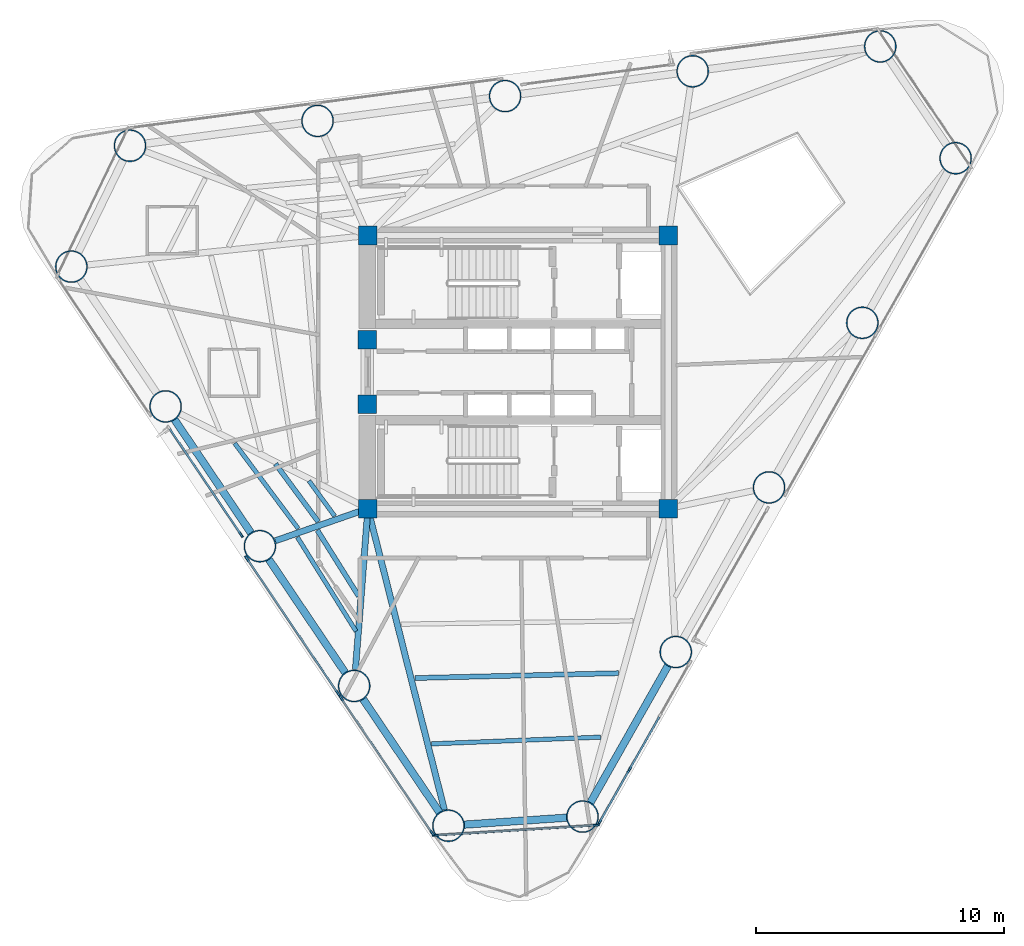
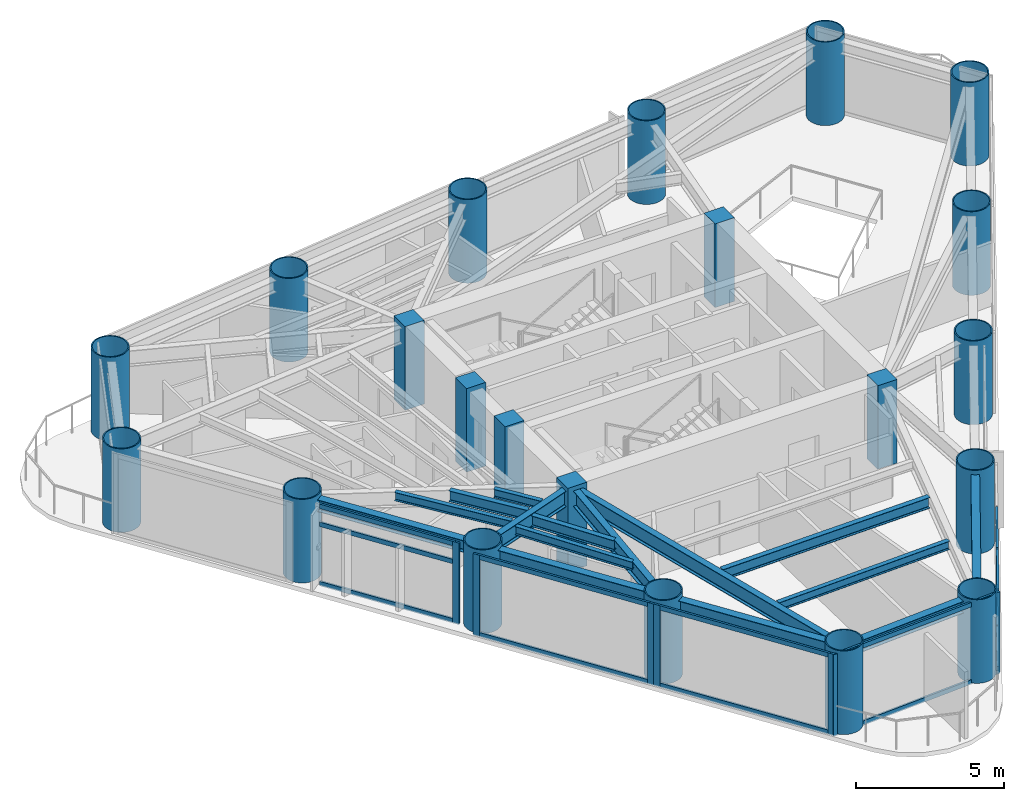
# One storey, part 1 of 9: 24 members, 21 columns, 15 beams, 5 elements without a shape of their own.
"""IFC4 building model written with IfcOpenShell, lengths in metres."""

from ifc_helpers import new_model, si_unit, direction, frame, origin, origin_2d, place, context, subcontext, project, spatial, rectangle, hollow_circle, i_section, extrude, source, transform, mapped, material, layer, layer_set, material_profile, profile_set, type_object, element, aggregate, save


model = new_model("IFC4")

# Units and contexts
model_context = context("Model", 3, precision=1e-05, world=origin(), true_north=direction((0.0, 1.0)))
body_context = subcontext(model_context, "Body", "Model", "MODEL_VIEW")
ifc_project = project(units=[si_unit("LENGTHUNIT", "METRE"), si_unit("AREAUNIT", "SQUARE_METRE"), si_unit("VOLUMEUNIT", "CUBIC_METRE"), si_unit("PLANEANGLEUNIT", "RADIAN"), si_unit("MASSUNIT", "GRAM", prefix="KILO")], contexts=[model_context])

# Site, building, storey
site_placement = place(None, origin())
site = spatial("IfcSite", under=ifc_project, at=site_placement, CompositionType="ELEMENT")
building_placement = place(site_placement, origin())
building = spatial("IfcBuilding", under=site, at=building_placement, Name="Yunling Apex Tower", CompositionType="ELEMENT")
storey_placement = place(building_placement, frame((0.0, 0.0, 162.199951171875)))
storey = spatial("IfcBuildingStorey", under=building, at=storey_placement, Name="L39", CompositionType="ELEMENT", Elevation=162.199951171875)

# Columns
ifc_material_1 = material(Name="Concrete C50", Category="concrete")
ifc_material_profile_1 = material_profile(ifc_material_1, rectangle(XDim=0.75, YDim=0.75, at=origin_2d()))
ifc_profile_set_1 = profile_set([ifc_material_profile_1], Name="Concrete C50")
column_type_1 = type_object("IfcColumnType", Name="PC-SRC-4", PredefinedType="COLUMN", material=ifc_profile_set_1)
shared_shape_1 = source(origin(), body_context, "Body", "SweptSolid", [
    extrude(rectangle(XDim=0.75, YDim=0.75, at=origin_2d()), origin(), (0.0, 0.0, 1.0), 3.449951171875),
])
for number, where, z_axis, x_axis, name in (
    (1, (-6.050048828125, -5.5, 0.0), (0.0, 0.0, 1.0), (1.0, 0.0, 0.0), "L39 Core Spine Column CC-SW"),
    (2, (6.050048828125, -5.5, 0.0), (0.0, 0.0, 1.0), (1.0, 0.0, 0.0), "L39 Core Spine Column CC-SE"),
    (3, (6.050048828125, 5.5, 0.0), (0.0, 0.0, 1.0), (1.0, 0.0, 0.0), "L39 Core Spine Column CC-NE"),
    (4, (-6.050048828125, 5.5, 0.0), (0.0, 0.0, 1.0), (1.0, 0.0, 0.0), "L39 Core Spine Column CC-NW"),
    (5, (-6.074951171875, -1.300048828125, 0.0), (0.0, 0.0, 1.0), (1.0, 0.0, 0.0), "L39 Core West Portal Jamb Column S"),
    (6, (-6.074951171875, 1.300048828125, 0.0), (0.0, 0.0, 1.0), (1.0, 0.0, 0.0), "L39 Core West Portal Jamb Column N"),
):
    element("IfcColumn", number, at=place(storey_placement, frame(where, z_axis=z_axis, x_axis=x_axis)), inside=storey, type_object=column_type_1, Name=name, PredefinedType="COLUMN", context=body_context, shape_type="MappedRepresentation", body=[
        mapped(shared_shape_1, transform((0.0, 0.0, 0.0), scale=1.0)),
    ])
ifc_material_2 = material(Name="Steel Q390GJC", Category="steel")
ifc_material_profile_2 = material_profile(ifc_material_2, hollow_circle(Radius=0.64990234375, WallThickness=0.044921875, at=origin_2d()))
ifc_profile_set_2 = profile_set([ifc_material_profile_2], Name="Steel Q390GJC")
column_type_2 = type_object("IfcColumnType", Name="MC-CFST-3", PredefinedType="COLUMN", material=ifc_profile_set_2)
shared_shape_2 = source(origin(), body_context, "Body", "SweptSolid", [
    extrude(hollow_circle(Radius=0.64990234375, WallThickness=0.044921875, at=origin_2d()), origin(), (0.0, 0.0, 1.0), 3.449951171875),
])
for number, where, z_axis, x_axis, name in (
    (7, (2.5947265625, -17.907958984375, 0.0), (0.0, 0.0, 1.0), (1.0, 0.0, 0.0), "L39 Perimeter CFST Mega-Column P01"),
    (8, (6.351806640625, -11.27783203125, 0.0), (0.0, 0.0, 1.0), (1.0, 0.0, 0.0), "L39 Perimeter CFST Mega-Column P02"),
    (9, (10.109130859375, -4.64794921875, 0.0), (0.0, 0.0, 1.0), (1.0, 0.0, 0.0), "L39 Perimeter CFST Mega-Column P03"),
    (10, (13.8662109375, 1.982177734375, 0.0), (0.0, 0.0, 1.0), (1.0, 0.0, 0.0), "L39 Perimeter CFST Mega-Column P04"),
    (11, (17.62353515625, 8.612060546875, 0.0), (0.0, 0.0, 1.0), (1.0, 0.0, 0.0), "L39 Perimeter CFST Mega-Column P05"),
    (12, (14.5869140625, 13.114013671875, 0.0), (0.0, 0.0, 1.0), (1.0, 0.0, 0.0), "L39 Perimeter CFST Mega-Column P06"),
    (13, (7.0322265625, 12.114013671875, 0.0), (0.0, 0.0, 1.0), (1.0, 0.0, 0.0), "L39 Perimeter CFST Mega-Column P07"),
    (14, (-0.5224609375, 11.114013671875, 0.0), (0.0, 0.0, 1.0), (1.0, 0.0, 0.0), "L39 Perimeter CFST Mega-Column P08"),
    (15, (-8.0771484375, 10.1142578125, 0.0), (0.0, 0.0, 1.0), (1.0, 0.0, 0.0), "L39 Perimeter CFST Mega-Column P09"),
    (16, (-15.6318359375, 9.1142578125, 0.0), (0.0, 0.0, 1.0), (1.0, 0.0, 0.0), "L39 Perimeter CFST Mega-Column P10"),
    (17, (-17.9951171875, 4.2451171875, 0.0), (0.0, 0.0, 1.0), (1.0, 0.0, 0.0), "L39 Perimeter CFST Mega-Column P11"),
    (18, (-14.197509765625, -1.384765625, 0.0), (0.0, 0.0, 1.0), (1.0, 0.0, 0.0), "L39 Perimeter CFST Mega-Column P12"),
    (19, (-10.39990234375, -7.014892578125, 0.0), (0.0, 0.0, 1.0), (1.0, 0.0, 0.0), "L39 Perimeter CFST Mega-Column P13"),
    (20, (-6.6025390625, -12.64501953125, 0.0), (0.0, 0.0, 1.0), (1.0, 0.0, 0.0), "L39 Perimeter CFST Mega-Column P14"),
    (21, (-2.804931640625, -18.27490234375, 0.0), (0.0, 0.0, 1.0), (1.0, 0.0, 0.0), "L39 Perimeter CFST Mega-Column P15"),
):
    element("IfcColumn", number, at=place(storey_placement, frame(where, z_axis=z_axis, x_axis=x_axis)), inside=storey, type_object=column_type_2, Name=name, PredefinedType="COLUMN", context=body_context, shape_type="MappedRepresentation", body=[
        mapped(shared_shape_2, transform((0.0, 0.0, 0.0), scale=1.0)),
    ])

# Beams
ifc_material_3 = material(Name="Steel Q355B", Category="steel")
ifc_material_profile_3 = material_profile(ifc_material_3, i_section(OverallWidth=0.300048828125, OverallDepth=0.489990234375, WebThickness=0.010986328125, FlangeThickness=0.01806640625, FilletRadius=0.02197265625, at=origin_2d()))
ifc_profile_set_3 = profile_set([ifc_material_profile_3], Name="Steel Q355B")
beam_type_1 = type_object("IfcBeamType", Name="BP-SPN-2", PredefinedType="SPANDREL", material=ifc_profile_set_3)
shared_shape_3 = source(origin(), body_context, "Body", "SweptSolid", [
    extrude(i_section(OverallWidth=0.300048828125, OverallDepth=0.489990234375, WebThickness=0.010986328125, FlangeThickness=0.01806640625, FilletRadius=0.02197265625, at=origin_2d()), origin(), (0.0, 0.0, 1.0), 6.332763671875),
])
beam_1_placement = place(storey_placement, frame((2.912109375, -17.34765625, 3.025146484375), z_axis=(0.493042725972, 0.870005097897, 0.0), x_axis=(-0.870005097897, 0.493042725972, 0.0)))
element("IfcBeam", 22, at=beam_1_placement, inside=storey, type_object=beam_type_1, Name="L39 Perimeter Spandrel Beam 1", PredefinedType="SPANDREL", context=body_context, shape_type="MappedRepresentation", body=[
    mapped(shared_shape_3, transform((0.0, 0.0, 0.0), scale=1.0)),
])
shared_shape_4 = source(origin(), body_context, "Body", "SweptSolid", [
    extrude(i_section(OverallWidth=0.300048828125, OverallDepth=0.489990234375, WebThickness=0.010986328125, FlangeThickness=0.01806640625, FilletRadius=0.02197265625, at=origin_2d()), origin(), (0.0, 0.0, 1.0), 5.5029296875),
])
beam_2_placement = place(storey_placement, frame((-10.039794921875, -7.548828125, 3.025146484375), z_axis=(0.559176417619, -0.829048692164, 0.0), x_axis=(0.829048692164, 0.559176417619, 0.0)))
element("IfcBeam", 23, at=beam_2_placement, inside=storey, type_object=beam_type_1, Name="L39 Perimeter Spandrel Beam 13", PredefinedType="SPANDREL", context=body_context, shape_type="MappedRepresentation", body=[
    mapped(shared_shape_4, transform((0.0, 0.0, 0.0), scale=1.0)),
])
shared_shape_5 = source(origin(), body_context, "Body", "SweptSolid", [
    extrude(i_section(OverallWidth=0.300048828125, OverallDepth=0.489990234375, WebThickness=0.010986328125, FlangeThickness=0.01806640625, FilletRadius=0.02197265625, at=origin_2d()), origin(), (0.0, 0.0, 1.0), 5.503173828125),
])
beam_3_placement = place(storey_placement, frame((-13.83740234375, -1.918701171875, 3.025146484375), z_axis=(0.55920690951, -0.82902812519, 0.0), x_axis=(0.82902812519, 0.55920690951, 0.0)))
element("IfcBeam", 24, at=beam_3_placement, inside=storey, type_object=beam_type_1, Name="L39 Perimeter Spandrel Beam 12", PredefinedType="SPANDREL", context=body_context, shape_type="MappedRepresentation", body=[
    mapped(shared_shape_5, transform((0.0, 0.0, 0.0), scale=1.0)),
])
shared_shape_6 = source(origin(), body_context, "Body", "SweptSolid", [
    extrude(i_section(OverallWidth=0.300048828125, OverallDepth=0.489990234375, WebThickness=0.010986328125, FlangeThickness=0.01806640625, FilletRadius=0.02197265625, at=origin_2d()), origin(), (0.0, 0.0, 1.0), 5.50341796875),
])
beam_4_placement = place(storey_placement, frame((-6.242431640625, -13.1787109375, 3.025146484375), z_axis=(0.55918634307, -0.829041997564, 0.0), x_axis=(0.829041997564, 0.55918634307, 0.0)))
element("IfcBeam", 25, at=beam_4_placement, inside=storey, type_object=beam_type_1, Name="L39 Perimeter Spandrel Beam 14", PredefinedType="SPANDREL", context=body_context, shape_type="MappedRepresentation", body=[
    mapped(shared_shape_6, transform((0.0, 0.0, 0.0), scale=1.0)),
])
shared_shape_7 = source(origin(), body_context, "Body", "SweptSolid", [
    extrude(i_section(OverallWidth=0.300048828125, OverallDepth=0.489990234375, WebThickness=0.010986328125, FlangeThickness=0.01806640625, FilletRadius=0.02197265625, at=origin_2d()), origin(), (0.0, 0.0, 1.0), 4.124267578125),
])
beam_5_placement = place(storey_placement, frame((-2.16259765625, -18.231201171875, 3.025146484375), z_axis=(0.997700280582, 0.067780160274, 0.0), x_axis=(-0.067780160274, 0.997700280582, 0.0)))
element("IfcBeam", 26, at=beam_5_placement, inside=storey, type_object=beam_type_1, Name="L39 Perimeter Spandrel Beam 15", PredefinedType="SPANDREL", context=body_context, shape_type="MappedRepresentation", body=[
    mapped(shared_shape_7, transform((0.0, 0.0, 0.0), scale=1.0)),
])
ifc_material_profile_4 = material_profile(ifc_material_3, i_section(OverallWidth=0.25, OverallDepth=0.64990234375, WebThickness=0.011962890625, FlangeThickness=0.02001953125, FilletRadius=0.02392578125, at=origin_2d()))
ifc_profile_set_4 = profile_set([ifc_material_profile_4], Name="Steel Q355B")
beam_type_2 = type_object("IfcBeamType", Name="BG-PRI-4", PredefinedType="USERDEFINED", material=ifc_profile_set_4)
shared_shape_8 = source(origin(), body_context, "Body", "SweptSolid", [
    extrude(i_section(OverallWidth=0.25, OverallDepth=0.64990234375, WebThickness=0.011962890625, FlangeThickness=0.02001953125, FilletRadius=0.02392578125, at=origin_2d()), origin(), (0.0, 0.0, 1.0), 3.8681640625),
])
beam_6_placement = place(storey_placement, frame((-9.778564453125, -6.798583984375, 2.945068359375), z_axis=(0.944369860351, 0.328885339991, 0.0), x_axis=(-0.328885339991, 0.944369860351, 0.0)))
element("IfcBeam", 27, at=beam_6_placement, inside=storey, type_object=beam_type_2, Name="L39 Radial Primary Girder R13", ObjectType="GIRDER", PredefinedType="USERDEFINED", context=body_context, shape_type="MappedRepresentation", body=[
    mapped(shared_shape_8, transform((0.0, 0.0, 0.0), scale=1.0)),
])
shared_shape_9 = source(origin(), body_context, "Body", "SweptSolid", [
    extrude(i_section(OverallWidth=0.25, OverallDepth=0.64990234375, WebThickness=0.011962890625, FlangeThickness=0.02001953125, FilletRadius=0.02392578125, at=origin_2d()), origin(), (0.0, 0.0, 1.0), 6.42822265625),
])
beam_7_placement = place(storey_placement, frame((-6.5517578125, -11.989013671875, 2.945068359375), z_axis=(0.077097282386, 0.997023574971, 0.0), x_axis=(-0.997023574971, 0.077097282386, 0.0)))
element("IfcBeam", 28, at=beam_7_placement, inside=storey, type_object=beam_type_2, Name="L39 Radial Primary Girder R14", ObjectType="GIRDER", PredefinedType="USERDEFINED", context=body_context, shape_type="MappedRepresentation", body=[
    mapped(shared_shape_9, transform((0.0, 0.0, 0.0), scale=1.0)),
])
shared_shape_10 = source(origin(), body_context, "Body", "SweptSolid", [
    extrude(i_section(OverallWidth=0.25, OverallDepth=0.64990234375, WebThickness=0.011962890625, FlangeThickness=0.02001953125, FilletRadius=0.02392578125, at=origin_2d()), origin(), (0.0, 0.0, 1.0), 12.44287109375),
])
beam_8_placement = place(storey_placement, frame((-2.967041015625, -17.63720703125, 2.945068359375), z_axis=(-0.246185736667, 0.969222669494, 0.0), x_axis=(-0.969222669494, -0.246185736667, 0.0)))
element("IfcBeam", 29, at=beam_8_placement, inside=storey, type_object=beam_type_2, Name="L39 Radial Primary Girder R15", ObjectType="GIRDER", PredefinedType="USERDEFINED", context=body_context, shape_type="MappedRepresentation", body=[
    mapped(shared_shape_10, transform((0.0, 0.0, 0.0), scale=1.0)),
])
ifc_material_profile_5 = material_profile(ifc_material_3, i_section(OverallWidth=0.199951171875, OverallDepth=0.449951171875, WebThickness=0.009033203125, FlangeThickness=0.013916015625, FilletRadius=0.01806640625, at=origin_2d()))
ifc_profile_set_5 = profile_set([ifc_material_profile_5], Name="Steel Q355B")
beam_type_3 = type_object("IfcBeamType", Name="BS-SEC-3", PredefinedType="BEAM", material=ifc_profile_set_5)
shared_shape_11 = source(origin(), body_context, "Body", "SweptSolid", [
    extrude(i_section(OverallWidth=0.199951171875, OverallDepth=0.449951171875, WebThickness=0.009033203125, FlangeThickness=0.013916015625, FilletRadius=0.01806640625, at=origin_2d()), origin(), (0.0, 0.0, 1.0), 2.900146484375),
])
beam_9_placement = place(storey_placement, frame((-9.770751953125, -3.701416015625, 3.045166015625), z_axis=(0.594341352087, -0.804212880523, 0.0), x_axis=(0.804212880523, 0.594341352087, 0.0)))
element("IfcBeam", 30, at=beam_9_placement, inside=storey, type_object=beam_type_3, Name="L39 Composite Floor Beam BS-12", PredefinedType="BEAM", context=body_context, shape_type="MappedRepresentation", body=[
    mapped(shared_shape_11, transform((0.0, 0.0, 0.0), scale=1.0)),
])
ifc_material_profile_6 = material_profile(ifc_material_3, i_section(OverallWidth=0.175048828125, OverallDepth=0.35009765625, WebThickness=0.007080078125, FlangeThickness=0.010986328125, FilletRadius=0.013916015625, at=origin_2d()))
ifc_profile_set_6 = profile_set([ifc_material_profile_6], Name="Steel Q355B")
beam_type_4 = type_object("IfcBeamType", Name="BJ-JST-1", PredefinedType="JOIST", material=ifc_profile_set_6)
shared_shape_12 = source(origin(), body_context, "Body", "SweptSolid", [
    extrude(i_section(OverallWidth=0.175048828125, OverallDepth=0.35009765625, WebThickness=0.007080078125, FlangeThickness=0.010986328125, FilletRadius=0.013916015625, at=origin_2d()), origin(), (0.0, 0.0, 1.0), 4.2958984375),
])
beam_10_placement = place(storey_placement, frame((-11.417724609375, -2.868896484375, 3.094970703125), z_axis=(0.597405367493, -0.801939415972, 0.0), x_axis=(0.801939415972, 0.597405367493, 0.0)))
element("IfcBeam", 31, at=beam_10_placement, inside=storey, type_object=beam_type_4, Name="L39 Composite Floor Joist BJ1-12", PredefinedType="JOIST", context=body_context, shape_type="MappedRepresentation", body=[
    mapped(shared_shape_12, transform((0.0, 0.0, 0.0), scale=1.0)),
])
shared_shape_13 = source(origin(), body_context, "Body", "SweptSolid", [
    extrude(i_section(OverallWidth=0.175048828125, OverallDepth=0.35009765625, WebThickness=0.007080078125, FlangeThickness=0.010986328125, FilletRadius=0.013916015625, at=origin_2d()), origin(), (0.0, 0.0, 1.0), 1.75830078125),
])
beam_11_placement = place(storey_placement, frame((-8.423583984375, -4.3828125, 3.094970703125), z_axis=(0.58860919459, -0.808417723732, 0.0), x_axis=(0.808417723732, 0.58860919459, 0.0)))
element("IfcBeam", 32, at=beam_11_placement, inside=storey, type_object=beam_type_4, Name="L39 Composite Floor Joist BJ3-12", PredefinedType="JOIST", context=body_context, shape_type="MappedRepresentation", body=[
    mapped(shared_shape_13, transform((0.0, 0.0, 0.0), scale=1.0)),
])
shared_shape_14 = source(origin(), body_context, "Body", "SweptSolid", [
    extrude(i_section(OverallWidth=0.199951171875, OverallDepth=0.449951171875, WebThickness=0.009033203125, FlangeThickness=0.013916015625, FilletRadius=0.01806640625, at=origin_2d()), origin(), (0.0, 0.0, 1.0), 3.138427734375),
])
beam_12_placement = place(storey_placement, frame((-8.086181640625, -6.374267578125, 3.045166015625), z_axis=(0.531291876234, -0.847188846862, 0.0), x_axis=(0.847188846862, 0.531291876234, 0.0)))
element("IfcBeam", 33, at=beam_12_placement, inside=storey, type_object=beam_type_3, Name="L39 Composite Floor Beam BS-13", PredefinedType="BEAM", context=body_context, shape_type="MappedRepresentation", body=[
    mapped(shared_shape_14, transform((0.0, 0.0, 0.0), scale=1.0)),
])
shared_shape_15 = source(origin(), body_context, "Body", "SweptSolid", [
    extrude(i_section(OverallWidth=0.175048828125, OverallDepth=0.35009765625, WebThickness=0.007080078125, FlangeThickness=0.010986328125, FilletRadius=0.013916015625, at=origin_2d()), origin(), (0.0, 0.0, 1.0), 4.46533203125),
])
beam_13_placement = place(storey_placement, frame((-8.890380859375, -6.654296875, 3.094970703125), z_axis=(0.529197625192, -0.848498599581, 0.0), x_axis=(0.848498599581, 0.529197625192, 0.0)))
element("IfcBeam", 34, at=beam_13_placement, inside=storey, type_object=beam_type_4, Name="L39 Composite Floor Joist BJ1-13", PredefinedType="JOIST", context=body_context, shape_type="MappedRepresentation", body=[
    mapped(shared_shape_15, transform((0.0, 0.0, 0.0), scale=1.0)),
])
shared_shape_16 = source(origin(), body_context, "Body", "SweptSolid", [
    extrude(i_section(OverallWidth=0.199951171875, OverallDepth=0.449951171875, WebThickness=0.009033203125, FlangeThickness=0.013916015625, FilletRadius=0.01806640625, at=origin_2d()), origin(), (0.0, 0.0, 1.0), 8.20166015625),
])
beam_14_placement = place(storey_placement, frame((-4.15478515625, -12.3271484375, 3.045166015625), z_axis=(0.999714273785, 0.023903363562, 0.0), x_axis=(-0.023903363562, 0.999714273785, 0.0)))
element("IfcBeam", 35, at=beam_14_placement, inside=storey, type_object=beam_type_3, Name="L39 Composite Floor Beam BS-15", PredefinedType="BEAM", context=body_context, shape_type="MappedRepresentation", body=[
    mapped(shared_shape_16, transform((0.0, 0.0, 0.0), scale=1.0)),
])
shared_shape_17 = source(origin(), body_context, "Body", "SweptSolid", [
    extrude(i_section(OverallWidth=0.175048828125, OverallDepth=0.35009765625, WebThickness=0.007080078125, FlangeThickness=0.010986328125, FilletRadius=0.013916015625, at=origin_2d()), origin(), (0.0, 0.0, 1.0), 6.814453125),
])
beam_15_placement = place(storey_placement, frame((-3.481201171875, -14.977783203125, 3.094970703125), z_axis=(0.999210374008, 0.039731957862, 0.0), x_axis=(-0.039731957862, 0.999210374008, 0.0)))
element("IfcBeam", 36, at=beam_15_placement, inside=storey, type_object=beam_type_4, Name="L39 Composite Floor Joist BJ1-15", PredefinedType="JOIST", context=body_context, shape_type="MappedRepresentation", body=[
    mapped(shared_shape_17, transform((0.0, 0.0, 0.0), scale=1.0)),
])

# Curtain wall, members
ifc_material_4 = material(Name="Bronze anodised aluminium", Category="aluminium")
ifc_layer = layer(ifc_material_4, 0.239990234375)
ifc_layer_set = layer_set([ifc_layer], Name="Bronze anodised aluminium")
curtain_wall_type = type_object("IfcCurtainWallType", Name="CW-SYS-3", PredefinedType="NOTDEFINED", material=ifc_layer_set)
curtain_wall_1_placement = place(storey_placement, origin())
curtain_wall_1 = element("IfcCurtainWall", 37, at=curtain_wall_1_placement, inside=storey, type_object=curtain_wall_type, Name="CW-L39-F1-B1", PredefinedType="NOTDEFINED")
ifc_material_profile_7 = material_profile(ifc_material_4, rectangle(XDim=0.080078125, YDim=0.239990234375, at=origin_2d()))
ifc_profile_set_7 = profile_set([ifc_material_profile_7], Name="Bronze anodised aluminium")
member_type_1 = type_object("IfcMemberType", Name="CW-MUL-3", PredefinedType="MULLION", material=ifc_profile_set_7)
shared_shape_18 = source(origin(), body_context, "Body", "SweptSolid", [
    extrude(rectangle(XDim=0.080078125, YDim=0.239990234375, at=origin_2d()), origin(), (0.0, 0.0, 1.0), 3.3701171875),
])
member_1_placement = place(storey_placement, frame((3.271484375, -18.153564453125, -0.050048828125), z_axis=(0.0, 0.0, 1.0), x_axis=(-0.870006087438, 0.493040979859, 0.0)))
member_1 = element("IfcMember", 38, at=member_1_placement, type_object=member_type_1, Name="CW-SYS-3 mullion 1", PredefinedType="MULLION", context=body_context, shape_type="MappedRepresentation", body=[
    mapped(shared_shape_18, transform((0.0, 0.0, 0.0), scale=1.0)),
])
member_2_placement = place(storey_placement, frame((4.47802734375, -16.02490234375, -0.050048828125), z_axis=(0.0, 0.0, 1.0), x_axis=(-0.870006087438, 0.493040979859, 0.0)))
member_2 = element("IfcMember", 39, at=member_2_placement, type_object=member_type_1, Name="CW-SYS-3 mullion 2", PredefinedType="MULLION", context=body_context, shape_type="MappedRepresentation", body=[
    mapped(shared_shape_18, transform((0.0, 0.0, 0.0), scale=1.0)),
])

# Curtain wall, member
curtain_wall_2_placement = place(storey_placement, origin())
curtain_wall_2 = element("IfcCurtainWall", 40, at=curtain_wall_2_placement, inside=storey, type_object=curtain_wall_type, Name="CW-L39-F3-B2", PredefinedType="NOTDEFINED")
member_3_placement = place(storey_placement, frame((-11.15966796875, -6.55029296875, -0.050048828125), z_axis=(0.0, 0.0, 1.0), x_axis=(0.829026137089, 0.559209856873, 0.0)))
member_3 = element("IfcMember", 41, at=member_3_placement, type_object=member_type_1, Name="CW-SYS-3 mullion 2", PredefinedType="MULLION", context=body_context, shape_type="MappedRepresentation", body=[
    mapped(shared_shape_18, transform((0.0, 0.0, 0.0), scale=1.0)),
])

# Curtain wall, members
curtain_wall_3_placement = place(storey_placement, origin())
curtain_wall_3 = element("IfcCurtainWall", 42, at=curtain_wall_3_placement, inside=storey, type_object=curtain_wall_type, Name="CW-L39-F3-B3", PredefinedType="NOTDEFINED")
member_4_placement = place(storey_placement, frame((-10.921630859375, -7.511474609375, -0.050048828125), z_axis=(0.0, 0.0, 1.0), x_axis=(0.829040587205, 0.559188434042, 0.0)))
member_4 = element("IfcMember", 43, at=member_4_placement, type_object=member_type_1, Name="CW-SYS-3 mullion 1", PredefinedType="MULLION", context=body_context, shape_type="MappedRepresentation", body=[
    mapped(shared_shape_18, transform((0.0, 0.0, 0.0), scale=1.0)),
])
member_5_placement = place(storey_placement, frame((-7.25830078125, -12.9423828125, -0.050048828125), z_axis=(0.0, 0.0, 1.0), x_axis=(0.829040587205, 0.559188434042, 0.0)))
member_5 = element("IfcMember", 44, at=member_5_placement, type_object=member_type_1, Name="CW-SYS-3 mullion 2", PredefinedType="MULLION", context=body_context, shape_type="MappedRepresentation", body=[
    mapped(shared_shape_18, transform((0.0, 0.0, 0.0), scale=1.0)),
])

curtain_wall_4_placement = place(storey_placement, origin())
curtain_wall_4 = element("IfcCurtainWall", 45, at=curtain_wall_4_placement, inside=storey, type_object=curtain_wall_type, Name="CW-L39-F3-B4", PredefinedType="NOTDEFINED")
member_6_placement = place(storey_placement, frame((-7.1240234375, -13.141357421875, -0.050048828125), z_axis=(0.0, 0.0, 1.0), x_axis=(0.829045302692, 0.559181442901, 0.0)))
member_6 = element("IfcMember", 46, at=member_6_placement, type_object=member_type_1, Name="CW-SYS-3 mullion 1", PredefinedType="MULLION", context=body_context, shape_type="MappedRepresentation", body=[
    mapped(shared_shape_18, transform((0.0, 0.0, 0.0), scale=1.0)),
])
member_7_placement = place(storey_placement, frame((-3.460693359375, -18.572509765625, -0.050048828125), z_axis=(0.0, 0.0, 1.0), x_axis=(0.829045302692, 0.559181442901, 0.0)))
member_7 = element("IfcMember", 47, at=member_7_placement, type_object=member_type_1, Name="CW-SYS-3 mullion 2", PredefinedType="MULLION", context=body_context, shape_type="MappedRepresentation", body=[
    mapped(shared_shape_18, transform((0.0, 0.0, 0.0), scale=1.0)),
])

curtain_wall_5_placement = place(storey_placement, origin())
curtain_wall_5 = element("IfcCurtainWall", 48, at=curtain_wall_5_placement, inside=storey, type_object=curtain_wall_type, Name="CW-L39-CRN3", PredefinedType="NOTDEFINED")
member_8_placement = place(storey_placement, frame((-3.337158203125, -18.658203125, -0.050048828125), z_axis=(0.0, 0.0, 1.0), x_axis=(-0.062672311308, 0.998034158431, 0.0)))
member_8 = element("IfcMember", 49, at=member_8_placement, type_object=member_type_1, Name="CW-SYS-3 mullion 1", PredefinedType="MULLION", context=body_context, shape_type="MappedRepresentation", body=[
    mapped(shared_shape_18, transform((0.0, 0.0, 0.0), scale=1.0)),
])
member_9_placement = place(storey_placement, frame((3.155029296875, -18.25048828125, -0.050048828125), z_axis=(0.0, 0.0, 1.0), x_axis=(-0.062672311308, 0.998034158431, 0.0)))
member_9 = element("IfcMember", 50, at=member_9_placement, type_object=member_type_1, Name="CW-SYS-3 mullion 2", PredefinedType="MULLION", context=body_context, shape_type="MappedRepresentation", body=[
    mapped(shared_shape_18, transform((0.0, 0.0, 0.0), scale=1.0)),
])

# Member
ifc_material_profile_8 = material_profile(ifc_material_4, rectangle(XDim=0.080078125, YDim=0.18505859375, at=origin_2d()))
ifc_profile_set_8 = profile_set([ifc_material_profile_8], Name="Bronze anodised aluminium")
member_type_2 = type_object("IfcMemberType", Name="CW-TRN-3", PredefinedType="USERDEFINED", material=ifc_profile_set_8)
shared_shape_19 = source(origin(), body_context, "Body", "SweptSolid", [
    extrude(rectangle(XDim=0.080078125, YDim=0.18505859375, at=origin_2d()), origin(), (0.0, 0.0, 1.0), 2.374755859375),
])
member_10_placement = place(storey_placement, frame((3.289306640625, -18.122314453125, 0.0400390625), z_axis=(0.493035916127, 0.870008957085, 0.0), x_axis=(-0.870008957085, 0.493035916127, 0.0)))
member_10 = element("IfcMember", 51, at=member_10_placement, type_object=member_type_2, Name="CW-SYS-3 transom 1.1", ObjectType="TRANSOM", PredefinedType="USERDEFINED", context=body_context, shape_type="MappedRepresentation", body=[
    mapped(shared_shape_19, transform((0.0, 0.0, 0.0), scale=1.0)),
])

member_11_placement = place(storey_placement, frame((3.289306640625, -18.122314453125, 2.4853515625), z_axis=(0.493035916127, 0.870008957085, 0.0), x_axis=(-0.870008957085, 0.493035916127, 0.0)))
member_11 = element("IfcMember", 52, at=member_11_placement, type_object=member_type_2, Name="CW-SYS-3 transom 1.2", ObjectType="TRANSOM", PredefinedType="USERDEFINED", context=body_context, shape_type="MappedRepresentation", body=[
    mapped(shared_shape_19, transform((0.0, 0.0, 0.0), scale=1.0)),
])

member_12_placement = place(storey_placement, frame((3.289306640625, -18.122314453125, 3.22998046875), z_axis=(0.493035916127, 0.870008957085, 0.0), x_axis=(-0.870008957085, 0.493035916127, 0.0)))
member_12 = element("IfcMember", 53, at=member_12_placement, type_object=member_type_2, Name="CW-SYS-3 transom 1.3", ObjectType="TRANSOM", PredefinedType="USERDEFINED", context=body_context, shape_type="MappedRepresentation", body=[
    mapped(shared_shape_19, transform((0.0, 0.0, 0.0), scale=1.0)),
])

shared_shape_20 = source(origin(), body_context, "Body", "SweptSolid", [
    extrude(rectangle(XDim=0.080078125, YDim=0.18505859375, at=origin_2d()), origin(), (0.0, 0.0, 1.0), 2.414794921875),
])
member_13_placement = place(storey_placement, frame((4.49560546875, -15.993408203125, 0.0400390625), z_axis=(0.49307634424, 0.869986045147, 0.0), x_axis=(-0.869986045147, 0.49307634424, 0.0)))
member_13 = element("IfcMember", 54, at=member_13_placement, type_object=member_type_2, Name="CW-SYS-3 transom 2.1", ObjectType="TRANSOM", PredefinedType="USERDEFINED", context=body_context, shape_type="MappedRepresentation", body=[
    mapped(shared_shape_20, transform((0.0, 0.0, 0.0), scale=1.0)),
])

member_14_placement = place(storey_placement, frame((4.49560546875, -15.993408203125, 2.4853515625), z_axis=(0.49307634424, 0.869986045147, 0.0), x_axis=(-0.869986045147, 0.49307634424, 0.0)))
member_14 = element("IfcMember", 55, at=member_14_placement, type_object=member_type_2, Name="CW-SYS-3 transom 2.2", ObjectType="TRANSOM", PredefinedType="USERDEFINED", context=body_context, shape_type="MappedRepresentation", body=[
    mapped(shared_shape_20, transform((0.0, 0.0, 0.0), scale=1.0)),
])

member_15_placement = place(storey_placement, frame((4.49560546875, -15.993408203125, 3.22998046875), z_axis=(0.49307634424, 0.869986045147, 0.0), x_axis=(-0.869986045147, 0.49307634424, 0.0)))
member_15 = element("IfcMember", 56, at=member_15_placement, type_object=member_type_2, Name="CW-SYS-3 transom 2.3", ObjectType="TRANSOM", PredefinedType="USERDEFINED", context=body_context, shape_type="MappedRepresentation", body=[
    mapped(shared_shape_20, transform((0.0, 0.0, 0.0), scale=1.0)),
])

aggregate(curtain_wall_1, [member_1, member_2, member_10, member_11, member_12, member_13, member_14, member_15])

shared_shape_21 = source(origin(), body_context, "Body", "SweptSolid", [
    extrude(rectangle(XDim=0.080078125, YDim=0.18505859375, at=origin_2d()), origin(), (0.0, 0.0, 1.0), 6.43310546875),
])
member_16_placement = place(storey_placement, frame((-3.30126953125, -18.656005859375, 0.0400390625), z_axis=(0.998035114575, 0.062657083206, 0.0), x_axis=(-0.062657083206, 0.998035114575, 0.0)))
member_16 = element("IfcMember", 57, at=member_16_placement, type_object=member_type_2, Name="CW-SYS-3 transom 1.1", ObjectType="TRANSOM", PredefinedType="USERDEFINED", context=body_context, shape_type="MappedRepresentation", body=[
    mapped(shared_shape_21, transform((0.0, 0.0, 0.0), scale=1.0)),
])

member_17_placement = place(storey_placement, frame((-3.30126953125, -18.656005859375, 3.22998046875), z_axis=(0.998035114575, 0.062657083206, 0.0), x_axis=(-0.062657083206, 0.998035114575, 0.0)))
member_17 = element("IfcMember", 58, at=member_17_placement, type_object=member_type_2, Name="CW-SYS-3 transom 1.2", ObjectType="TRANSOM", PredefinedType="USERDEFINED", context=body_context, shape_type="MappedRepresentation", body=[
    mapped(shared_shape_21, transform((0.0, 0.0, 0.0), scale=1.0)),
])

aggregate(curtain_wall_5, [member_8, member_9, member_16, member_17])

shared_shape_22 = source(origin(), body_context, "Body", "SweptSolid", [
    extrude(rectangle(XDim=0.080078125, YDim=0.18505859375, at=origin_2d()), origin(), (0.0, 0.0, 1.0), 6.479248046875),
])
member_18_placement = place(storey_placement, frame((-7.10400390625, -13.171142578125, 0.0400390625), z_axis=(0.559179012054, -0.829046942265, 0.0), x_axis=(0.829046942265, 0.559179012054, 0.0)))
member_18 = element("IfcMember", 59, at=member_18_placement, type_object=member_type_2, Name="CW-SYS-3 transom 1.1", ObjectType="TRANSOM", PredefinedType="USERDEFINED", context=body_context, shape_type="MappedRepresentation", body=[
    mapped(shared_shape_22, transform((0.0, 0.0, 0.0), scale=1.0)),
])

member_19_placement = place(storey_placement, frame((-7.10400390625, -13.171142578125, 3.22998046875), z_axis=(0.559179012054, -0.829046942265, 0.0), x_axis=(0.829046942265, 0.559179012054, 0.0)))
member_19 = element("IfcMember", 60, at=member_19_placement, type_object=member_type_2, Name="CW-SYS-3 transom 1.2", ObjectType="TRANSOM", PredefinedType="USERDEFINED", context=body_context, shape_type="MappedRepresentation", body=[
    mapped(shared_shape_22, transform((0.0, 0.0, 0.0), scale=1.0)),
])

aggregate(curtain_wall_4, [member_6, member_7, member_18, member_19])

shared_shape_23 = source(origin(), body_context, "Body", "SweptSolid", [
    extrude(rectangle(XDim=0.080078125, YDim=0.18505859375, at=origin_2d()), origin(), (0.0, 0.0, 1.0), 5.09912109375),
])
member_20_placement = place(storey_placement, frame((-14.03125, -2.293212890625, 0.0400390625), z_axis=(0.559222026941, -0.829017927782, 0.0), x_axis=(0.829017927782, 0.559222026941, 0.0)))
member_20 = element("IfcMember", 61, at=member_20_placement, type_object=member_type_2, Name="CW-SYS-3 transom 1.1", ObjectType="TRANSOM", PredefinedType="USERDEFINED", context=body_context, shape_type="MappedRepresentation", body=[
    mapped(shared_shape_23, transform((0.0, 0.0, 0.0), scale=1.0)),
])

member_21_placement = place(storey_placement, frame((-14.03125, -2.293212890625, 2.4853515625), z_axis=(0.559222026941, -0.829017927782, 0.0), x_axis=(0.829017927782, 0.559222026941, 0.0)))
member_21 = element("IfcMember", 62, at=member_21_placement, type_object=member_type_2, Name="CW-SYS-3 transom 1.2", ObjectType="TRANSOM", PredefinedType="USERDEFINED", context=body_context, shape_type="MappedRepresentation", body=[
    mapped(shared_shape_23, transform((0.0, 0.0, 0.0), scale=1.0)),
])

member_22_placement = place(storey_placement, frame((-14.03125, -2.293212890625, 3.22998046875), z_axis=(0.559222026941, -0.829017927782, 0.0), x_axis=(0.829017927782, 0.559222026941, 0.0)))
member_22 = element("IfcMember", 63, at=member_22_placement, type_object=member_type_2, Name="CW-SYS-3 transom 1.3", ObjectType="TRANSOM", PredefinedType="USERDEFINED", context=body_context, shape_type="MappedRepresentation", body=[
    mapped(shared_shape_23, transform((0.0, 0.0, 0.0), scale=1.0)),
])

aggregate(curtain_wall_2, [member_3, member_20, member_21, member_22])

shared_shape_24 = source(origin(), body_context, "Body", "SweptSolid", [
    extrude(rectangle(XDim=0.080078125, YDim=0.18505859375, at=origin_2d()), origin(), (0.0, 0.0, 1.0), 6.47900390625),
])
member_23_placement = place(storey_placement, frame((-10.9013671875, -7.541259765625, 0.0400390625), z_axis=(0.559196480627, -0.829035159722, 0.0), x_axis=(0.829035159722, 0.559196480627, 0.0)))
member_23 = element("IfcMember", 64, at=member_23_placement, type_object=member_type_2, Name="CW-SYS-3 transom 1.1", ObjectType="TRANSOM", PredefinedType="USERDEFINED", context=body_context, shape_type="MappedRepresentation", body=[
    mapped(shared_shape_24, transform((0.0, 0.0, 0.0), scale=1.0)),
])

member_24_placement = place(storey_placement, frame((-10.9013671875, -7.541259765625, 3.22998046875), z_axis=(0.559196480627, -0.829035159722, 0.0), x_axis=(0.829035159722, 0.559196480627, 0.0)))
member_24 = element("IfcMember", 65, at=member_24_placement, type_object=member_type_2, Name="CW-SYS-3 transom 1.2", ObjectType="TRANSOM", PredefinedType="USERDEFINED", context=body_context, shape_type="MappedRepresentation", body=[
    mapped(shared_shape_24, transform((0.0, 0.0, 0.0), scale=1.0)),
])

aggregate(curtain_wall_3, [member_4, member_5, member_23, member_24])

save(model, "model.ifc")
